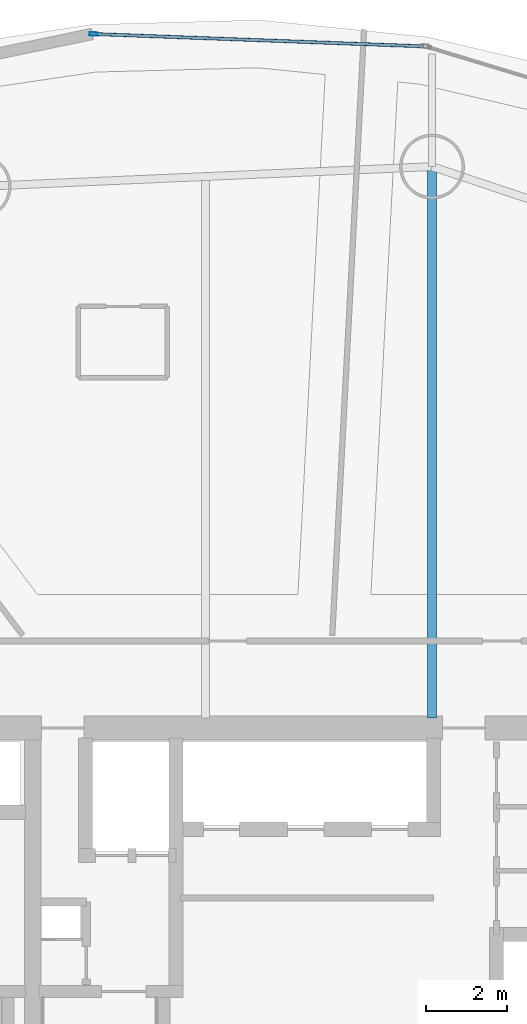
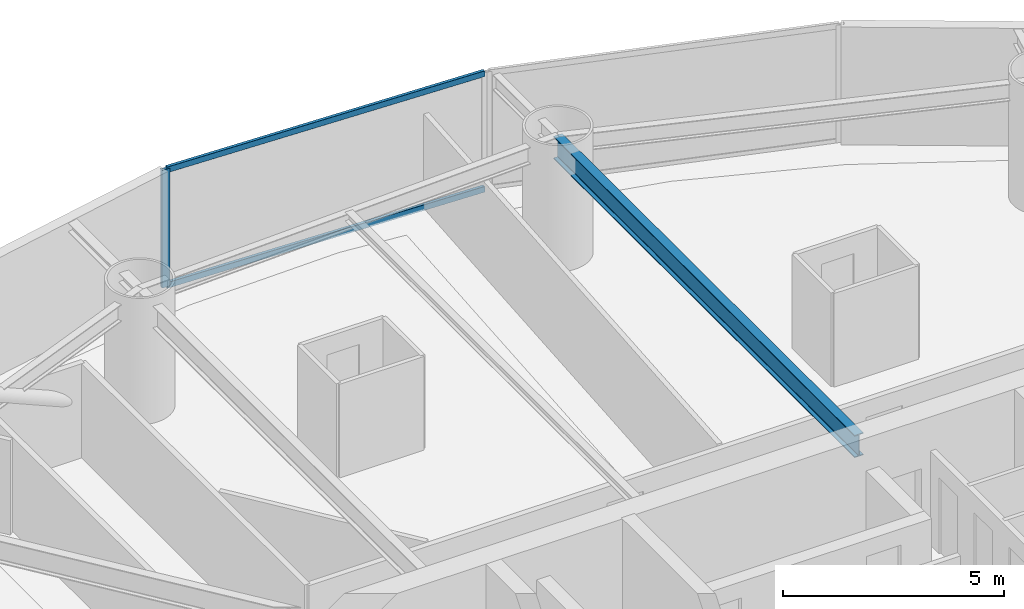
# One storey, part 17 of 27: 3 members, 1 beam, 1 element without a shape of its own.
"""IFC4 building model written with IfcOpenShell, lengths in metres."""

from ifc_helpers import new_model, si_unit, direction, frame, origin, origin_2d, place, context, subcontext, project, spatial, hollow_rectangle, i_section, extrude, material, layer, layer_set, material_profile, profile_set, type_object, element, aggregate, save


model = new_model("IFC4")

# Units and contexts
model_context = context("Model", 3, precision=1e-05, world=origin(), true_north=direction((0.0, 1.0)))
body_context = subcontext(model_context, "Body", "Model", "MODEL_VIEW")
ifc_project = project(units=[si_unit("LENGTHUNIT", "METRE"), si_unit("AREAUNIT", "SQUARE_METRE"), si_unit("VOLUMEUNIT", "CUBIC_METRE"), si_unit("PLANEANGLEUNIT", "RADIAN"), si_unit("MASSUNIT", "GRAM", prefix="KILO")], contexts=[model_context])

# Site, building, storey
site_placement = place(None, origin())
site = spatial("IfcSite", under=ifc_project, at=site_placement, CompositionType="ELEMENT")
building_placement = place(site_placement, origin())
building = spatial("IfcBuilding", under=site, at=building_placement, Name="Bramvorn Convention Spire", CompositionType="ELEMENT")
storey_placement = place(building_placement, frame((0.0, 0.0, 72.89990234375)))
storey = spatial("IfcBuildingStorey", under=building, at=storey_placement, Name="L16", CompositionType="ELEMENT", Elevation=72.89990234375)

# Beam
ifc_material_1 = material(Name="Steel CSA G40.21 Grade 350 (350W)", Category="steel")
ifc_material_profile_1 = material_profile(ifc_material_1, i_section(OverallWidth=0.22998046875, OverallDepth=0.616943359375, WebThickness=0.01318359375, FlangeThickness=0.022216796875, FilletRadius=0.02001953125, at=origin_2d()))
ifc_profile_set_1 = profile_set([ifc_material_profile_1], Name="Steel CSA G40.21 Grade 350 (350W) - W610X140")
beam_type = type_object("IfcBeamType", Name="BM-W610X140", PredefinedType="BEAM", material=ifc_profile_set_1)
beam_placement = place(storey_placement, frame((40.9609375, 33.449951171875, 2.926513671875), z_axis=(0.0, 1.0, 0.0), x_axis=(-1.0, 0.0, 0.0)))
element("IfcBeam", 1, at=beam_placement, inside=storey, type_object=beam_type, Name="L16 Sky-Garden back-span radial girder MC05", PredefinedType="BEAM", context=body_context, shape_type="SweptSolid", body=[
    extrude(i_section(OverallWidth=0.22998046875, OverallDepth=0.616943359375, WebThickness=0.01318359375, FlangeThickness=0.022216796875, FilletRadius=0.02001953125, at=origin_2d()), origin(), (0.0, 0.0, 1.0), 13.618896484375),
])

# Curtain wall, members
ifc_material_2 = material(Name="Anodised Bronze Unitised Curtain Wall", Category="aluminium")
ifc_layer = layer(ifc_material_2, 0.179931640625)
ifc_layer_set = layer_set([ifc_layer], Name="Anodised Bronze Unitised Curtain Wall - CW-HTL-FRIT")
curtain_wall_type = type_object("IfcCurtainWallType", Name="CW-HTL-FRIT", PredefinedType="USERDEFINED", material=ifc_layer_set)
curtain_wall_placement = place(storey_placement, origin())
curtain_wall = element("IfcCurtainWall", 2, at=curtain_wall_placement, inside=storey, type_object=curtain_wall_type, Name="L16 fritted glass curtain wall 07", ObjectType="UNITISED CURTAIN WALL", PredefinedType="USERDEFINED")
ifc_material_3 = material(Name="Anodised Bronze Aluminium 6063-T6", Category="aluminium")
ifc_material_profile_2 = material_profile(ifc_material_3, hollow_rectangle(XDim=0.080078125, YDim=0.199951171875, WallThickness=0.00390625, InnerFilletRadius=0.0009765625, OuterFilletRadius=0.00390625, at=origin_2d()))
ifc_profile_set_2 = profile_set([ifc_material_profile_2], Name="Anodised Bronze Aluminium 6063-T6 - CWM80X200")
member_type_1 = type_object("IfcMemberType", Name="CW-MUL-180", PredefinedType="MULLION", material=ifc_profile_set_2)
member_1_placement = place(storey_placement, frame((32.60009765625, 50.343994140625, 0.0), z_axis=(0.0, 0.0, 1.0), x_axis=(0.037396718342, 0.999300498077, 0.0)))
member_1 = element("IfcMember", 3, at=member_1_placement, type_object=member_type_1, Name="CW2 mullion 1", PredefinedType="MULLION", context=body_context, shape_type="SweptSolid", body=[
    extrude(hollow_rectangle(XDim=0.080078125, YDim=0.199951171875, WallThickness=0.00390625, InnerFilletRadius=0.0009765625, OuterFilletRadius=0.00390625, at=origin_2d()), origin(), (0.0, 0.0, 1.0), 3.25),
])
ifc_material_profile_3 = material_profile(ifc_material_3, hollow_rectangle(XDim=0.080078125, YDim=0.159912109375, WallThickness=0.00390625, InnerFilletRadius=0.0009765625, OuterFilletRadius=0.00390625, at=origin_2d()))
ifc_profile_set_3 = profile_set([ifc_material_profile_3], Name="Anodised Bronze Aluminium 6063-T6 - CWT80X160")
member_type_2 = type_object("IfcMemberType", Name="CW-TRN-150", PredefinedType="USERDEFINED", material=ifc_profile_set_3)
member_2_placement = place(storey_placement, frame((32.630126953125, 50.343017578125, 0.030029296875), z_axis=(0.999300511445, -0.037396361117, 0.0), x_axis=(0.037396361117, 0.999300511445, 0.0)))
member_2 = element("IfcMember", 4, at=member_2_placement, type_object=member_type_2, Name="CW2 transom 1.1", ObjectType="TRANSOM", PredefinedType="USERDEFINED", context=body_context, shape_type="SweptSolid", body=[
    extrude(hollow_rectangle(XDim=0.080078125, YDim=0.159912109375, WallThickness=0.00390625, InnerFilletRadius=0.0009765625, OuterFilletRadius=0.00390625, at=origin_2d()), origin(), (0.0, 0.0, 1.0), 8.121337890625),
])
member_3_placement = place(storey_placement, frame((32.630126953125, 50.343017578125, 3.22021484375), z_axis=(0.999300511445, -0.037396361117, 0.0), x_axis=(0.037396361117, 0.999300511445, 0.0)))
member_3 = element("IfcMember", 5, at=member_3_placement, type_object=member_type_2, Name="CW2 transom 1.2", ObjectType="TRANSOM", PredefinedType="USERDEFINED", context=body_context, shape_type="SweptSolid", body=[
    extrude(hollow_rectangle(XDim=0.080078125, YDim=0.159912109375, WallThickness=0.00390625, InnerFilletRadius=0.0009765625, OuterFilletRadius=0.00390625, at=origin_2d()), origin(), (0.0, 0.0, 1.0), 8.121337890625),
])
aggregate(curtain_wall, [member_1, member_2, member_3])

save(model, "model.ifc")
